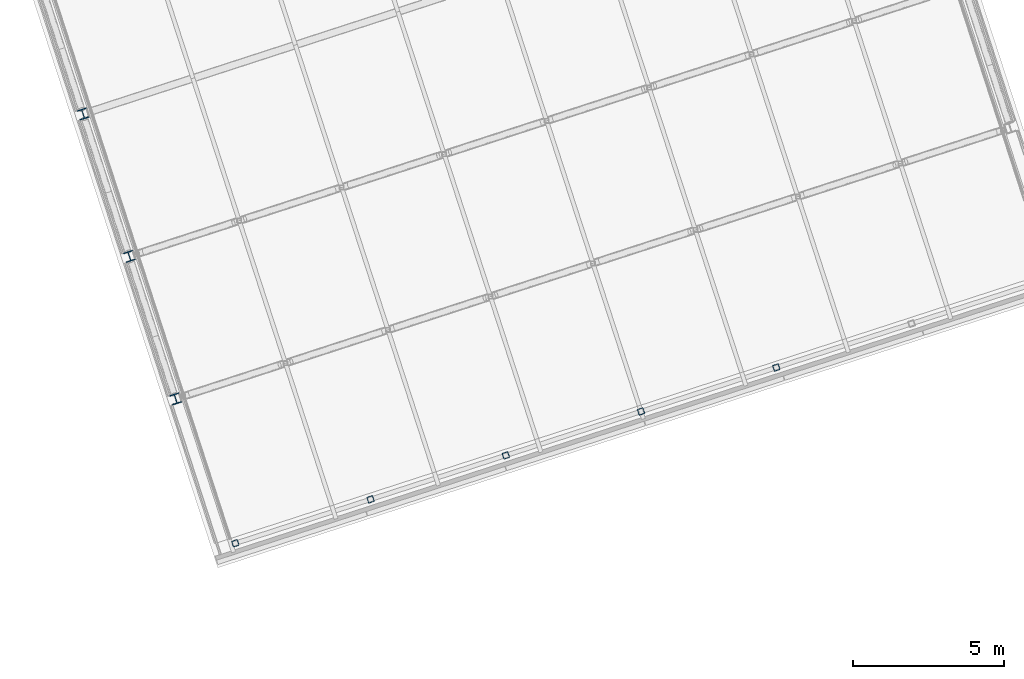
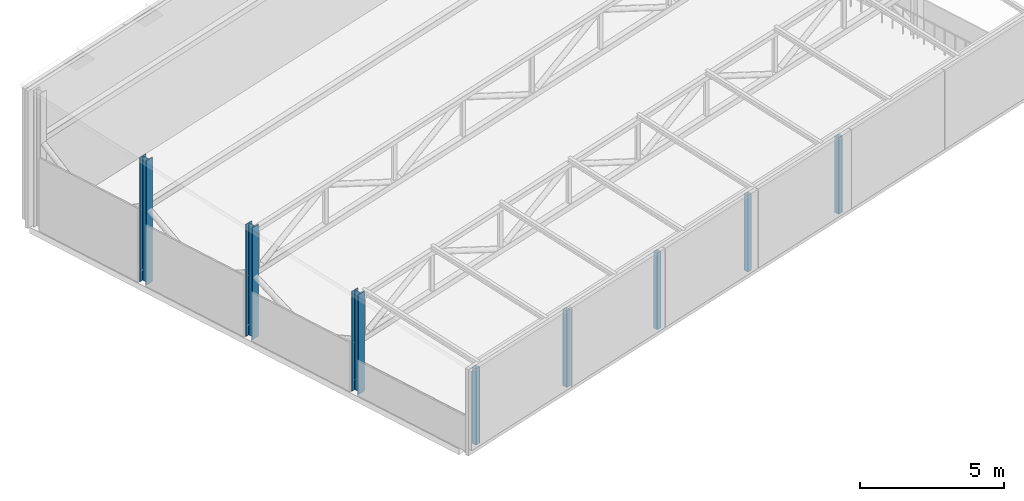
# One storey, part 1 of 49: 8 columns.
"""IFC4 building model written with IfcOpenShell, lengths in metres."""

from ifc_helpers import new_model, si_unit, direction, frame, origin, origin_2d, place, context, subcontext, project, spatial, hollow_rectangle, i_section, extrude, material, material_profile, profile_set, type_object, element, save


model = new_model("IFC4")

# Units and contexts
model_context = context("Model", 3, precision=1e-05, world=origin(), true_north=direction((0.0, 1.0)))
body_context = subcontext(model_context, "Body", "Model", "MODEL_VIEW")
ifc_project = project(units=[si_unit("LENGTHUNIT", "METRE"), si_unit("AREAUNIT", "SQUARE_METRE"), si_unit("VOLUMEUNIT", "CUBIC_METRE"), si_unit("PLANEANGLEUNIT", "RADIAN"), si_unit("MASSUNIT", "GRAM", prefix="KILO")], contexts=[model_context])

# Site, building, storey
site_placement = place(None, origin())
site = spatial("IfcSite", under=ifc_project, at=site_placement, CompositionType="ELEMENT")
building_placement = place(site_placement, origin())
building = spatial("IfcBuilding", under=site, at=building_placement, Name="Tuart Plaza Theatre", CompositionType="ELEMENT")
storey_placement = place(building_placement, frame((0.0, 0.0, 29.5)))
storey = spatial("IfcBuildingStorey", under=building, at=storey_placement, Name="L07", CompositionType="ELEMENT", Elevation=29.5)

# Columns
ifc_material_1 = material(Name="Steel Grade C350L0", Category="steel")
ifc_material_profile_1 = material_profile(ifc_material_1, hollow_rectangle(XDim=0.199951171875, YDim=0.199951171875, WallThickness=0.010009765625, InnerFilletRadius=0.010009765625, OuterFilletRadius=0.02001953125, at=origin_2d()), Name="200x200x10 SHS")
ifc_profile_set_1 = profile_set([ifc_material_profile_1], Name="Steel Grade C350L0")
column_type_1 = type_object("IfcColumnType", Name="COLUMN 200x200x10 SHS", PredefinedType="COLUMN", material=ifc_profile_set_1)
for number, where, z_axis, x_axis, name in (
    (1, (41.72802734375, 68.753173828125, 0.0), (0.0, 0.0, 1.0), (0.951056516295, 0.309016994375, 0.0), "SC18"),
    (2, (46.197998046875, 70.20556640625, 0.0), (0.0, 0.0, 1.0), (0.951056516295, 0.309016994375, 0.0), "SC19"),
    (3, (50.66796875, 71.657958984375, 0.0), (0.0, 0.0, 1.0), (0.951056516295, 0.309016994375, 0.0), "SC20"),
    (4, (55.137939453125, 73.1103515625, 0.0), (0.0, 0.0, 1.0), (0.951056516295, 0.309016994375, 0.0), "SC21"),
    (5, (59.60791015625, 74.562744140625, 0.0), (0.0, 0.0, 1.0), (0.951056516295, 0.309016994375, 0.0), "SC22"),
):
    element("IfcColumn", number, at=place(storey_placement, frame(where, z_axis=z_axis, x_axis=x_axis)), inside=storey, type_object=column_type_1, Name=name, PredefinedType="COLUMN", context=body_context, shape_type="SweptSolid", body=[
        extrude(hollow_rectangle(XDim=0.199951171875, YDim=0.199951171875, WallThickness=0.010009765625, InnerFilletRadius=0.010009765625, OuterFilletRadius=0.02001953125, at=origin_2d()), origin(), (0.0, 0.0, 1.0), 3.23046875),
    ])
ifc_material_2 = material(Name="Steel Grade 300", Category="steel")
ifc_material_profile_2 = material_profile(ifc_material_2, i_section(OverallWidth=0.31103515625, OverallDepth=0.326904296875, WebThickness=0.015625, FlangeThickness=0.02490234375, FilletRadius=0.0166015625, at=origin_2d()), Name="310UC158")
ifc_profile_set_2 = profile_set([ifc_material_profile_2], Name="Steel Grade 300")
column_type_2 = type_object("IfcColumnType", Name="COLUMN 310UC158", PredefinedType="COLUMN", material=ifc_profile_set_2)
column_1_placement = place(storey_placement, frame((39.756103515625, 73.527587890625, 0.0), z_axis=(0.0, 0.0, 1.0), x_axis=(0.951056516295, 0.309016994375, 0.0)))
element("IfcColumn", 6, at=column_1_placement, inside=storey, type_object=column_type_2, Name="SC5", PredefinedType="COLUMN", context=body_context, shape_type="SweptSolid", body=[
    extrude(i_section(OverallWidth=0.31103515625, OverallDepth=0.326904296875, WebThickness=0.015625, FlangeThickness=0.02490234375, FilletRadius=0.0166015625, at=origin_2d()), origin(), (0.0, 0.0, 1.0), 4.222412109375),
])
column_2_placement = place(storey_placement, frame((38.2265625, 78.2353515625, 0.0), z_axis=(0.0, 0.0, 1.0), x_axis=(0.951056516295, 0.309016994375, 0.0)))
element("IfcColumn", 7, at=column_2_placement, inside=storey, type_object=column_type_2, Name="SC7", PredefinedType="COLUMN", context=body_context, shape_type="SweptSolid", body=[
    extrude(i_section(OverallWidth=0.31103515625, OverallDepth=0.326904296875, WebThickness=0.015625, FlangeThickness=0.02490234375, FilletRadius=0.0166015625, at=origin_2d()), origin(), (0.0, 0.0, 1.0), 4.74267578125),
])
column_3_placement = place(storey_placement, frame((36.69677734375, 82.94287109375, 0.0), z_axis=(0.0, 0.0, 1.0), x_axis=(0.951056516295, 0.309016994375, 0.0)))
element("IfcColumn", 8, at=column_3_placement, inside=storey, type_object=column_type_2, Name="SC9", PredefinedType="COLUMN", context=body_context, shape_type="SweptSolid", body=[
    extrude(i_section(OverallWidth=0.31103515625, OverallDepth=0.326904296875, WebThickness=0.015625, FlangeThickness=0.02490234375, FilletRadius=0.0166015625, at=origin_2d()), origin(), (0.0, 0.0, 1.0), 5.262939453125),
])

save(model, "model.ifc")
